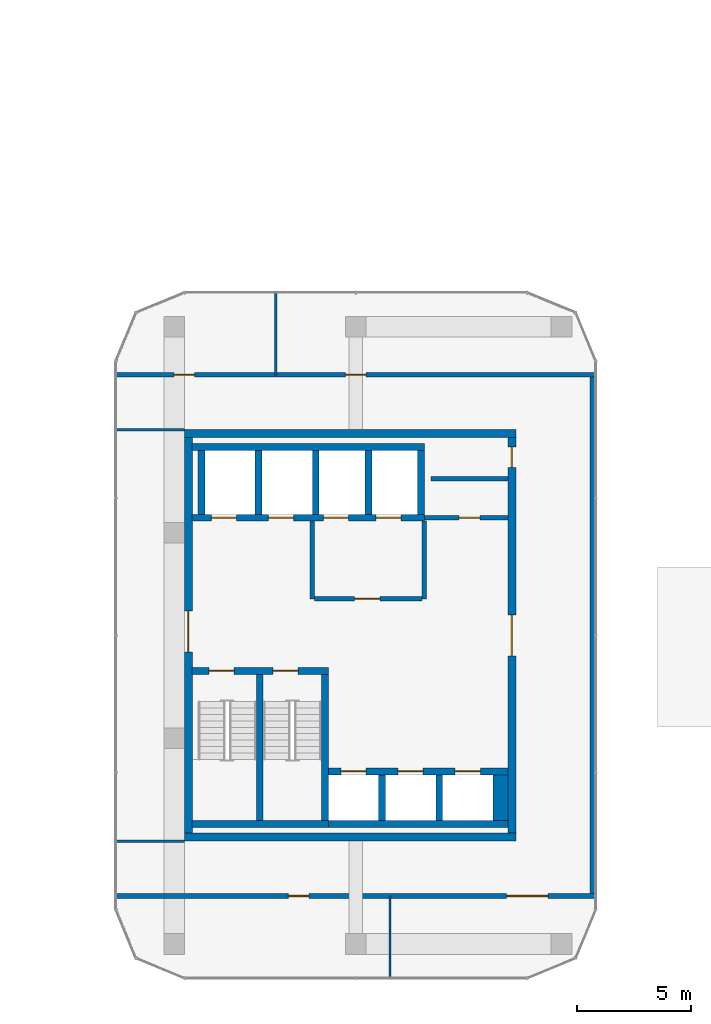
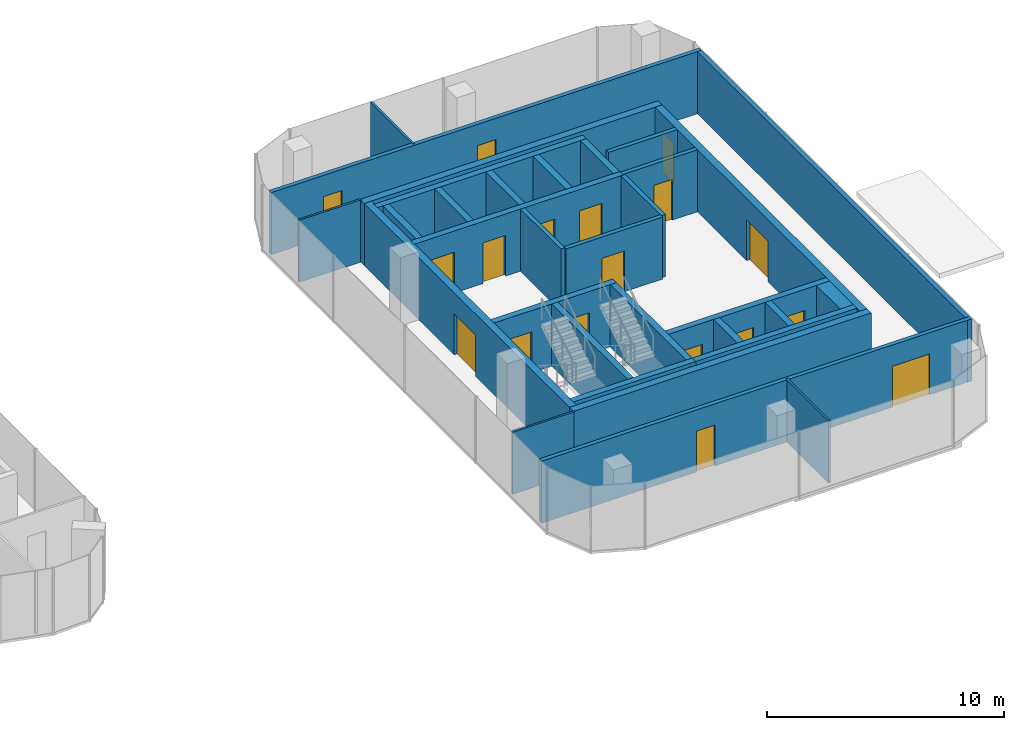
# One storey, part 15 of 19: 32 walls, 18 doors, 18 openings.
"""IFC4 building model written with IfcOpenShell, lengths in metres."""

from ifc_helpers import new_model, si_unit, direction, frame, frame_2d, origin, place, context, subcontext, project, spatial, rectangle, extrude, material, layer, layer_set, type_object, element, fill, save


model = new_model("IFC4")

# Units and contexts
model_context = context("Model", 3, precision=1e-05, world=origin(), true_north=direction((0.0, 1.0)))
body_context = subcontext(model_context, "Body", "Model", "MODEL_VIEW")
ifc_project = project(units=[si_unit("LENGTHUNIT", "METRE"), si_unit("AREAUNIT", "SQUARE_METRE"), si_unit("VOLUMEUNIT", "CUBIC_METRE"), si_unit("PLANEANGLEUNIT", "RADIAN"), si_unit("MASSUNIT", "GRAM", prefix="KILO")], contexts=[model_context])

# Site, building, storey
site_placement = place(None, origin())
site = spatial("IfcSite", under=ifc_project, at=site_placement, CompositionType="ELEMENT")
building_placement = place(site_placement, origin())
building = spatial("IfcBuilding", under=site, at=building_placement, Name="Plateau Cross Towers", CompositionType="ELEMENT")
storey_placement = place(building_placement, frame((0.0, 0.0, 120.300048828125)))
storey = spatial("IfcBuildingStorey", under=building, at=storey_placement, Name="L31", CompositionType="ELEMENT", Elevation=120.300048828125)

# Wall
ifc_material_1 = material(Name="Concrete block, plastered both sides", Category="concrete")
ifc_layer_1 = layer(ifc_material_1, 0.199951171875)
ifc_layer_set_1 = layer_set([ifc_layer_1], Name="Concrete block, plastered both sides")
wall_type_1 = type_object("IfcWallType", Name="Core partition 200", PredefinedType="PARTITIONING", material=ifc_layer_set_1)
wall_1_placement = place(storey_placement, frame((80.60009765625, 10.60009765625, 0.0), z_axis=(0.0, 0.0, 1.0), x_axis=(0.0, 1.0, 0.0)))
element("IfcWall", 1, at=wall_1_placement, inside=storey, type_object=wall_type_1, Name="Core partition", PredefinedType="PARTITIONING", context=body_context, shape_type="SweptSolid", body=[
    extrude(rectangle(XDim=3.39990234375, YDim=0.199951171875, at=frame_2d((1.699951171875, 0.0))), origin(), (0.0, 0.0, 1.0), 3.199951171875),
])

# Wall, opening, door
wall_2_placement = place(storey_placement, frame((80.699951171875, 10.60009765625, 0.0), z_axis=(0.0, 0.0, 1.0), x_axis=(1.0, 0.0, 0.0)))
wall_2 = element("IfcWall", 2, at=wall_2_placement, inside=storey, type_object=wall_type_1, Name="Core partition", PredefinedType="PARTITIONING", context=body_context, shape_type="SweptSolid", body=[
    extrude(rectangle(XDim=4.699951171875, YDim=0.199951171875, at=frame_2d((2.35009765625, 0.0))), origin(), (0.0, 0.0, 1.0), 3.199951171875),
])
opening_1_placement = place(wall_2_placement, frame((1.75, 0.0, 0.0)))
opening_1 = element("IfcOpeningElement", 3, at=opening_1_placement, cuts=wall_2, Name="Opening FFD", PredefinedType="OPENING", context=body_context, shape_type="SweptSolid", body=[
    extrude(rectangle(XDim=1.10009765625, YDim=2.10009765625, at=frame_2d((0.550048828125, 1.050048828125))), frame((0.0, 0.10986328125, 0.0), z_axis=(0.0, -1.0, 0.0), x_axis=(1.0, 0.0, 0.0)), (0.0, 0.0, 1.0), 0.219970703125),
])
ifc_material_2 = material(Name="Steel, fire-resisting leaf", Category="steel")
door_type_1 = type_object("IfcDoorType", Name="Firefighting lobby door 1100", OperationType="NOTDEFINED", PredefinedType="DOOR", material=ifc_material_2)
door_1_placement = place(opening_1_placement, origin())
door_1 = element("IfcDoor", 4, at=door_1_placement, inside=storey, type_object=door_type_1, Name="Firefighting lobby door FFD", OperationType="SINGLE_SWING_LEFT", OverallHeight=2.10009765625, OverallWidth=1.10009765625, PredefinedType="DOOR", context=body_context, shape_type="SweptSolid", body=[
    extrude(rectangle(XDim=1.10009765625, YDim=2.10009765625, at=frame_2d((0.550048828125, 1.050048828125))), frame((0.0, 0.02490234375, 0.0), z_axis=(0.0, -1.0, 0.0), x_axis=(1.0, 0.0, 0.0)), (0.0, 0.0, 1.0), 0.050048828125),
])
fill(opening_1, door_1)

# Wall
wall_3_placement = place(storey_placement, frame((85.5, 10.60009765625, 0.0), z_axis=(0.0, 0.0, 1.0), x_axis=(0.0, 1.0, 0.0)))
element("IfcWall", 5, at=wall_3_placement, inside=storey, type_object=wall_type_1, Name="Core partition", PredefinedType="PARTITIONING", context=body_context, shape_type="SweptSolid", body=[
    extrude(rectangle(XDim=3.39990234375, YDim=0.199951171875, at=frame_2d((1.699951171875, 0.0))), origin(), (0.0, 0.0, 1.0), 3.199951171875),
])

# Wall, opening, door
wall_4_placement = place(storey_placement, frame((85.5, 14.14990234375, 0.0), z_axis=(0.0, 0.0, 1.0), x_axis=(1.0, 0.0, 0.0)))
wall_4 = element("IfcWall", 6, at=wall_4_placement, inside=storey, type_object=wall_type_1, Name="Core partition", PredefinedType="PARTITIONING", context=body_context, shape_type="SweptSolid", body=[
    extrude(rectangle(XDim=3.64990234375, YDim=0.199951171875, at=frame_2d((1.824951171875, 0.0))), origin(), (0.0, 0.0, 1.0), 3.199951171875),
])
opening_2_placement = place(wall_4_placement, frame((1.52490234375, 0.0, 0.0)))
opening_2 = element("IfcOpeningElement", 7, at=opening_2_placement, cuts=wall_4, Name="Opening RD2", PredefinedType="OPENING", context=body_context, shape_type="SweptSolid", body=[
    extrude(rectangle(XDim=0.89990234375, YDim=2.10009765625, at=frame_2d((0.449951171875, 1.050048828125))), frame((0.0, 0.10986328125, 0.0), z_axis=(0.0, -1.0, 0.0), x_axis=(1.0, 0.0, 0.0)), (0.0, 0.0, 1.0), 0.219970703125),
])
door_type_2 = type_object("IfcDoorType", Name="Core riser door 900", OperationType="NOTDEFINED", PredefinedType="DOOR", material=ifc_material_2)
door_2_placement = place(opening_2_placement, origin())
door_2 = element("IfcDoor", 8, at=door_2_placement, inside=storey, type_object=door_type_2, Name="Core riser door RD2", OperationType="SINGLE_SWING_LEFT", OverallHeight=2.10009765625, OverallWidth=0.89990234375, PredefinedType="DOOR", context=body_context, shape_type="SweptSolid", body=[
    extrude(rectangle(XDim=0.89990234375, YDim=2.10009765625, at=frame_2d((0.449951171875, 1.050048828125))), frame((0.0, 0.02490234375, 0.0), z_axis=(0.0, -1.0, 0.0), x_axis=(1.0, 0.0, 0.0)), (0.0, 0.0, 1.0), 0.050048828125),
])
fill(opening_2, door_2)

# Walls
wall_5_placement = place(storey_placement, frame((85.800048828125, 15.85009765625, 0.0), z_axis=(0.0, 0.0, 1.0), x_axis=(1.0, 0.0, 0.0)))
element("IfcWall", 9, at=wall_5_placement, inside=storey, type_object=wall_type_1, Name="Core partition", PredefinedType="PARTITIONING", context=body_context, shape_type="SweptSolid", body=[
    extrude(rectangle(XDim=3.349853515625, YDim=0.199951171875, at=frame_2d((1.6748046875, 0.0))), origin(), (0.0, 0.0, 1.0), 3.199951171875),
])
ifc_material_3 = material(Name="Concrete C60/75", Category="concrete")
ifc_layer_2 = layer(ifc_material_3, 0.300048828125)
ifc_layer_set_2 = layer_set([ifc_layer_2], Name="Concrete C60/75")
wall_type_2 = type_object("IfcWallType", Name="Core shaft wall 300", PredefinedType="SHEAR", material=ifc_layer_set_2)
wall_6_placement = place(storey_placement, frame((75.330078125, 0.75, 0.0), z_axis=(0.0, 0.0, 1.0), x_axis=(1.0, 0.0, 0.0)))
element("IfcWall", 10, at=wall_6_placement, inside=storey, type_object=wall_type_2, Name="B-sb-stS@L31", PredefinedType="SHEAR", context=body_context, shape_type="SweptSolid", body=[
    extrude(rectangle(XDim=5.969970703125, YDim=0.300048828125, at=frame_2d((2.98486328125, 0.0))), origin(), (0.0, 0.0, 1.0), 3.199951171875),
])

# Wall, openings, doors
wall_7_placement = place(storey_placement, frame((75.330078125, 7.449951171875, 0.0), z_axis=(0.0, 0.0, 1.0), x_axis=(1.0, 0.0, 0.0)))
wall_7 = element("IfcWall", 11, at=wall_7_placement, inside=storey, type_object=wall_type_2, Name="B-sb-stN@L31", PredefinedType="SHEAR", context=body_context, shape_type="SweptSolid", body=[
    extrude(rectangle(XDim=5.969970703125, YDim=0.300048828125, at=frame_2d((2.98486328125, 0.0))), origin(), (0.0, 0.0, 1.0), 3.199951171875),
])
opening_3_placement = place(wall_7_placement, frame((0.75, 0.0, 0.0)))
opening_3 = element("IfcOpeningElement", 12, at=opening_3_placement, cuts=wall_7, Name="Opening SD", PredefinedType="OPENING", context=body_context, shape_type="SweptSolid", body=[
    extrude(rectangle(XDim=1.10009765625, YDim=2.10009765625, at=frame_2d((0.550048828125, 1.050048828125))), frame((0.0, 0.159912109375, 0.0), z_axis=(0.0, -1.0, 0.0), x_axis=(1.0, 0.0, 0.0)), (0.0, 0.0, 1.0), 0.320068359375),
])
opening_4_placement = place(wall_7_placement, frame((3.550048828125, 0.0, 0.0)))
opening_4 = element("IfcOpeningElement", 13, at=opening_4_placement, cuts=wall_7, Name="Opening SD", PredefinedType="OPENING", context=body_context, shape_type="SweptSolid", body=[
    extrude(rectangle(XDim=1.10009765625, YDim=2.10009765625, at=frame_2d((0.550048828125, 1.050048828125))), frame((0.0, 0.159912109375, 0.0), z_axis=(0.0, -1.0, 0.0), x_axis=(1.0, 0.0, 0.0)), (0.0, 0.0, 1.0), 0.320068359375),
])
door_type_3 = type_object("IfcDoorType", Name="Stair door 1100", OperationType="NOTDEFINED", PredefinedType="DOOR", material=ifc_material_2)
door_3_placement = place(opening_3_placement, origin())
door_3 = element("IfcDoor", 14, at=door_3_placement, inside=storey, type_object=door_type_3, Name="Stair door SD", OperationType="SINGLE_SWING_RIGHT", OverallHeight=2.10009765625, OverallWidth=1.10009765625, PredefinedType="DOOR", context=body_context, shape_type="SweptSolid", body=[
    extrude(rectangle(XDim=1.10009765625, YDim=2.10009765625, at=frame_2d((0.550048828125, 1.050048828125))), frame((0.0, 0.02490234375, 0.0), z_axis=(0.0, -1.0, 0.0), x_axis=(1.0, 0.0, 0.0)), (0.0, 0.0, 1.0), 0.050048828125),
])
fill(opening_3, door_3)
door_4_placement = place(opening_4_placement, origin())
door_4 = element("IfcDoor", 15, at=door_4_placement, inside=storey, type_object=door_type_3, Name="Stair door SD", OperationType="SINGLE_SWING_LEFT", OverallHeight=2.10009765625, OverallWidth=1.10009765625, PredefinedType="DOOR", context=body_context, shape_type="SweptSolid", body=[
    extrude(rectangle(XDim=1.10009765625, YDim=2.10009765625, at=frame_2d((0.550048828125, 1.050048828125))), frame((0.0, 0.02490234375, 0.0), z_axis=(0.0, -1.0, 0.0), x_axis=(1.0, 0.0, 0.0)), (0.0, 0.0, 1.0), 0.050048828125),
])
fill(opening_4, door_4)

# Walls
for number, where, z_axis, x_axis, name in (
    (16, (78.300048828125, 0.89990234375, 0.0), (0.0, 0.0, 1.0), (0.0, 1.0, 0.0), "B-sb-st1@L31"),
    (17, (81.14990234375, 0.89990234375, 0.0), (0.0, 0.0, 1.0), (0.0, 1.0, 0.0), "B-sb-st2@L31"),
):
    element("IfcWall", number, at=place(storey_placement, frame(where, z_axis=z_axis, x_axis=x_axis)), inside=storey, type_object=wall_type_2, Name=name, PredefinedType="SHEAR", context=body_context, shape_type="SweptSolid", body=[
        extrude(rectangle(XDim=6.400146484375, YDim=0.300048828125, at=frame_2d((3.2001953125, 0.0))), origin(), (0.0, 0.0, 1.0), 3.199951171875),
    ])
wall_8_placement = place(storey_placement, frame((81.300048828125, 0.75, 0.0), z_axis=(0.0, 0.0, 1.0), x_axis=(1.0, 0.0, 0.0)))
element("IfcWall", 18, at=wall_8_placement, inside=storey, type_object=wall_type_2, Name="B-sb-back@L31", PredefinedType="SHEAR", context=body_context, shape_type="SweptSolid", body=[
    extrude(rectangle(XDim=7.849853515625, YDim=0.300048828125, at=frame_2d((3.9248046875, 0.0))), origin(), (0.0, 0.0, 1.0), 3.199951171875),
])
for number, where, z_axis, x_axis, name in (
    (19, (83.64990234375, 0.89990234375, 0.0), (0.0, 0.0, 1.0), (0.0, 1.0, 0.0), "B-sb-v1@L31"),
    (20, (86.14990234375, 0.89990234375, 0.0), (0.0, 0.0, 1.0), (0.0, 1.0, 0.0), "B-sb-v2@L31"),
):
    element("IfcWall", number, at=place(storey_placement, frame(where, z_axis=z_axis, x_axis=x_axis)), inside=storey, type_object=wall_type_2, Name=name, PredefinedType="SHEAR", context=body_context, shape_type="SweptSolid", body=[
        extrude(rectangle(XDim=2.0, YDim=0.300048828125, at=frame_2d((1.0, 0.0))), origin(), (0.0, 0.0, 1.0), 3.199951171875),
    ])

# Wall, openings, doors
wall_9_placement = place(storey_placement, frame((81.300048828125, 3.050048828125, 0.0), z_axis=(0.0, 0.0, 1.0), x_axis=(1.0, 0.0, 0.0)))
wall_9 = element("IfcWall", 21, at=wall_9_placement, inside=storey, type_object=wall_type_2, Name="B-sb-front@L31", PredefinedType="SHEAR", context=body_context, shape_type="SweptSolid", body=[
    extrude(rectangle(XDim=7.849853515625, YDim=0.300048828125, at=frame_2d((3.9248046875, 0.0))), origin(), (0.0, 0.0, 1.0), 3.199951171875),
])
opening_5_placement = place(wall_9_placement, frame((0.550048828125, 0.0, 0.0)))
opening_5 = element("IfcOpeningElement", 22, at=opening_5_placement, cuts=wall_9, Name="Opening LD", PredefinedType="OPENING", context=body_context, shape_type="SweptSolid", body=[
    extrude(rectangle(XDim=1.10009765625, YDim=2.10009765625, at=frame_2d((0.550048828125, 1.050048828125))), frame((0.0, 0.159912109375, 0.0), z_axis=(0.0, -1.0, 0.0), x_axis=(1.0, 0.0, 0.0)), (0.0, 0.0, 1.0), 0.320068359375),
])
opening_6_placement = place(wall_9_placement, frame((3.050048828125, 0.0, 0.0)))
opening_6 = element("IfcOpeningElement", 23, at=opening_6_placement, cuts=wall_9, Name="Opening LD", PredefinedType="OPENING", context=body_context, shape_type="SweptSolid", body=[
    extrude(rectangle(XDim=1.10009765625, YDim=2.10009765625, at=frame_2d((0.550048828125, 1.050048828125))), frame((0.0, 0.159912109375, 0.0), z_axis=(0.0, -1.0, 0.0), x_axis=(1.0, 0.0, 0.0)), (0.0, 0.0, 1.0), 0.320068359375),
])
opening_7_placement = place(wall_9_placement, frame((5.550048828125, 0.0, 0.0)))
opening_7 = element("IfcOpeningElement", 24, at=opening_7_placement, cuts=wall_9, Name="Opening LD", PredefinedType="OPENING", context=body_context, shape_type="SweptSolid", body=[
    extrude(rectangle(XDim=1.10009765625, YDim=2.10009765625, at=frame_2d((0.550048828125, 1.050048828125))), frame((0.0, 0.159912109375, 0.0), z_axis=(0.0, -1.0, 0.0), x_axis=(1.0, 0.0, 0.0)), (0.0, 0.0, 1.0), 0.320068359375),
])
ifc_material_4 = material(Name="Stainless steel, fire-resisting sliding leaves", Category="steel")
door_type_4 = type_object("IfcDoorType", Name="Lift landing door 1100", OperationType="NOTDEFINED", PredefinedType="DOOR", material=ifc_material_4)
door_5_placement = place(opening_5_placement, origin())
door_5 = element("IfcDoor", 25, at=door_5_placement, inside=storey, type_object=door_type_4, Name="Lift landing door LD", OperationType="DOUBLE_DOOR_SLIDING", OverallHeight=2.10009765625, OverallWidth=1.10009765625, PredefinedType="DOOR", context=body_context, shape_type="SweptSolid", body=[
    extrude(rectangle(XDim=1.10009765625, YDim=2.10009765625, at=frame_2d((0.550048828125, 1.050048828125))), frame((0.0, 0.02490234375, 0.0), z_axis=(0.0, -1.0, 0.0), x_axis=(1.0, 0.0, 0.0)), (0.0, 0.0, 1.0), 0.050048828125),
])
fill(opening_5, door_5)
door_6_placement = place(opening_6_placement, origin())
door_6 = element("IfcDoor", 26, at=door_6_placement, inside=storey, type_object=door_type_4, Name="Lift landing door LD", OperationType="DOUBLE_DOOR_SLIDING", OverallHeight=2.10009765625, OverallWidth=1.10009765625, PredefinedType="DOOR", context=body_context, shape_type="SweptSolid", body=[
    extrude(rectangle(XDim=1.10009765625, YDim=2.10009765625, at=frame_2d((0.550048828125, 1.050048828125))), frame((0.0, 0.02490234375, 0.0), z_axis=(0.0, -1.0, 0.0), x_axis=(1.0, 0.0, 0.0)), (0.0, 0.0, 1.0), 0.050048828125),
])
fill(opening_6, door_6)
door_7_placement = place(opening_7_placement, origin())
door_7 = element("IfcDoor", 27, at=door_7_placement, inside=storey, type_object=door_type_4, Name="Lift landing door LD", OperationType="DOUBLE_DOOR_SLIDING", OverallHeight=2.10009765625, OverallWidth=1.10009765625, PredefinedType="DOOR", context=body_context, shape_type="SweptSolid", body=[
    extrude(rectangle(XDim=1.10009765625, YDim=2.10009765625, at=frame_2d((0.550048828125, 1.050048828125))), frame((0.0, 0.02490234375, 0.0), z_axis=(0.0, -1.0, 0.0), x_axis=(1.0, 0.0, 0.0)), (0.0, 0.0, 1.0), 0.050048828125),
])
fill(opening_7, door_7)

# Wall
wall_10_placement = place(storey_placement, frame((75.330078125, 17.25, 0.0), z_axis=(0.0, 0.0, 1.0), x_axis=(1.0, 0.0, 0.0)))
element("IfcWall", 28, at=wall_10_placement, inside=storey, type_object=wall_type_2, Name="B-nb-back@L31", PredefinedType="SHEAR", context=body_context, shape_type="SweptSolid", body=[
    extrude(rectangle(XDim=10.169921875, YDim=0.300048828125, at=frame_2d((5.0849609375, 0.0))), origin(), (0.0, 0.0, 1.0), 3.199951171875),
])

# Wall, openings, doors
wall_11_placement = place(storey_placement, frame((75.330078125, 14.14990234375, 0.0), z_axis=(0.0, 0.0, 1.0), x_axis=(1.0, 0.0, 0.0)))
wall_11 = element("IfcWall", 29, at=wall_11_placement, inside=storey, type_object=wall_type_2, Name="B-nb-front@L31", PredefinedType="SHEAR", context=body_context, shape_type="SweptSolid", body=[
    extrude(rectangle(XDim=10.169921875, YDim=0.300048828125, at=frame_2d((5.0849609375, 0.0))), origin(), (0.0, 0.0, 1.0), 3.199951171875),
])
opening_8_placement = place(wall_11_placement, frame((0.85009765625, 0.0, 0.0)))
opening_8 = element("IfcOpeningElement", 30, at=opening_8_placement, cuts=wall_11, Name="Opening LD", PredefinedType="OPENING", context=body_context, shape_type="SweptSolid", body=[
    extrude(rectangle(XDim=1.10009765625, YDim=2.10009765625, at=frame_2d((0.550048828125, 1.050048828125))), frame((0.0, 0.159912109375, 0.0), z_axis=(0.0, -1.0, 0.0), x_axis=(1.0, 0.0, 0.0)), (0.0, 0.0, 1.0), 0.320068359375),
])
opening_9_placement = place(wall_11_placement, frame((3.35009765625, 0.0, 0.0)))
opening_9 = element("IfcOpeningElement", 31, at=opening_9_placement, cuts=wall_11, Name="Opening LD", PredefinedType="OPENING", context=body_context, shape_type="SweptSolid", body=[
    extrude(rectangle(XDim=1.10009765625, YDim=2.10009765625, at=frame_2d((0.550048828125, 1.050048828125))), frame((0.0, 0.159912109375, 0.0), z_axis=(0.0, -1.0, 0.0), x_axis=(1.0, 0.0, 0.0)), (0.0, 0.0, 1.0), 0.320068359375),
])
opening_10_placement = place(wall_11_placement, frame((5.75, 0.0, 0.0)))
opening_10 = element("IfcOpeningElement", 32, at=opening_10_placement, cuts=wall_11, Name="Opening LD", PredefinedType="OPENING", context=body_context, shape_type="SweptSolid", body=[
    extrude(rectangle(XDim=1.10009765625, YDim=2.10009765625, at=frame_2d((0.550048828125, 1.050048828125))), frame((0.0, 0.159912109375, 0.0), z_axis=(0.0, -1.0, 0.0), x_axis=(1.0, 0.0, 0.0)), (0.0, 0.0, 1.0), 0.320068359375),
])
opening_11_placement = place(wall_11_placement, frame((8.050048828125, 0.0, 0.0)))
opening_11 = element("IfcOpeningElement", 33, at=opening_11_placement, cuts=wall_11, Name="Opening LD", PredefinedType="OPENING", context=body_context, shape_type="SweptSolid", body=[
    extrude(rectangle(XDim=1.10009765625, YDim=2.10009765625, at=frame_2d((0.550048828125, 1.050048828125))), frame((0.0, 0.159912109375, 0.0), z_axis=(0.0, -1.0, 0.0), x_axis=(1.0, 0.0, 0.0)), (0.0, 0.0, 1.0), 0.320068359375),
])
door_8_placement = place(opening_8_placement, origin())
door_8 = element("IfcDoor", 34, at=door_8_placement, inside=storey, type_object=door_type_4, Name="Lift landing door LD", OperationType="DOUBLE_DOOR_SLIDING", OverallHeight=2.10009765625, OverallWidth=1.10009765625, PredefinedType="DOOR", context=body_context, shape_type="SweptSolid", body=[
    extrude(rectangle(XDim=1.10009765625, YDim=2.10009765625, at=frame_2d((0.550048828125, 1.050048828125))), frame((0.0, 0.02490234375, 0.0), z_axis=(0.0, -1.0, 0.0), x_axis=(1.0, 0.0, 0.0)), (0.0, 0.0, 1.0), 0.050048828125),
])
fill(opening_8, door_8)
door_9_placement = place(opening_9_placement, origin())
door_9 = element("IfcDoor", 35, at=door_9_placement, inside=storey, type_object=door_type_4, Name="Lift landing door LD", OperationType="DOUBLE_DOOR_SLIDING", OverallHeight=2.10009765625, OverallWidth=1.10009765625, PredefinedType="DOOR", context=body_context, shape_type="SweptSolid", body=[
    extrude(rectangle(XDim=1.10009765625, YDim=2.10009765625, at=frame_2d((0.550048828125, 1.050048828125))), frame((0.0, 0.02490234375, 0.0), z_axis=(0.0, -1.0, 0.0), x_axis=(1.0, 0.0, 0.0)), (0.0, 0.0, 1.0), 0.050048828125),
])
fill(opening_9, door_9)
door_10_placement = place(opening_10_placement, origin())
door_10 = element("IfcDoor", 36, at=door_10_placement, inside=storey, type_object=door_type_4, Name="Lift landing door LD", OperationType="DOUBLE_DOOR_SLIDING", OverallHeight=2.10009765625, OverallWidth=1.10009765625, PredefinedType="DOOR", context=body_context, shape_type="SweptSolid", body=[
    extrude(rectangle(XDim=1.10009765625, YDim=2.10009765625, at=frame_2d((0.550048828125, 1.050048828125))), frame((0.0, 0.02490234375, 0.0), z_axis=(0.0, -1.0, 0.0), x_axis=(1.0, 0.0, 0.0)), (0.0, 0.0, 1.0), 0.050048828125),
])
fill(opening_10, door_10)
door_11_placement = place(opening_11_placement, origin())
door_11 = element("IfcDoor", 37, at=door_11_placement, inside=storey, type_object=door_type_4, Name="Lift landing door LD", OperationType="DOUBLE_DOOR_SLIDING", OverallHeight=2.10009765625, OverallWidth=1.10009765625, PredefinedType="DOOR", context=body_context, shape_type="SweptSolid", body=[
    extrude(rectangle(XDim=1.10009765625, YDim=2.10009765625, at=frame_2d((0.550048828125, 1.050048828125))), frame((0.0, 0.02490234375, 0.0), z_axis=(0.0, -1.0, 0.0), x_axis=(1.0, 0.0, 0.0)), (0.0, 0.0, 1.0), 0.050048828125),
])
fill(opening_11, door_11)

# Walls
for number, where, z_axis, x_axis, name in (
    (38, (75.75, 14.300048828125, 0.0), (0.0, 0.0, 1.0), (0.0, 1.0, 0.0), "B-nb-v0@L31"),
    (39, (78.25, 14.300048828125, 0.0), (0.0, 0.0, 1.0), (0.0, 1.0, 0.0), "B-nb-v1@L31"),
    (40, (80.75, 14.300048828125, 0.0), (0.0, 0.0, 1.0), (0.0, 1.0, 0.0), "B-nb-v2@L31"),
    (41, (83.050048828125, 14.300048828125, 0.0), (0.0, 0.0, 1.0), (0.0, 1.0, 0.0), "B-nb-v3@L31"),
    (42, (85.35009765625, 14.300048828125, 0.0), (0.0, 0.0, 1.0), (0.0, 1.0, 0.0), "B-nb-v4@L31"),
):
    element("IfcWall", number, at=place(storey_placement, frame(where, z_axis=z_axis, x_axis=x_axis)), inside=storey, type_object=wall_type_2, Name=name, PredefinedType="SHEAR", context=body_context, shape_type="SweptSolid", body=[
        extrude(rectangle(XDim=2.800048828125, YDim=0.300048828125, at=frame_2d((1.39990234375, 0.0))), origin(), (0.0, 0.0, 1.0), 3.199951171875),
    ])
ifc_layer_3 = layer(ifc_material_3, 0.64990234375)
ifc_layer_set_3 = layer_set([ifc_layer_3], Name="Concrete C60/75")
wall_type_3 = type_object("IfcWallType", Name="Core shaft wall 650", PredefinedType="SHEAR", material=ifc_layer_set_3)
wall_12_placement = place(storey_placement, frame((88.824951171875, 0.89990234375, 0.0), z_axis=(0.0, 0.0, 1.0), x_axis=(0.0, 1.0, 0.0)))
element("IfcWall", 43, at=wall_12_placement, inside=storey, type_object=wall_type_3, Name="B-sb-v3@L31", PredefinedType="SHEAR", context=body_context, shape_type="SweptSolid", body=[
    extrude(rectangle(XDim=2.0, YDim=0.64990234375, at=frame_2d((1.0, 0.0))), origin(), (0.0, 0.0, 1.0), 3.199951171875),
])
ifc_layer_4 = layer(ifc_material_3, 0.35009765625)
ifc_layer_set_4 = layer_set([ifc_layer_4], Name="Concrete C60/75")
wall_type_4 = type_object("IfcWallType", Name="Core shell wall 350", PredefinedType="SHEAR", material=ifc_layer_set_4)
for number, where, z_axis, x_axis, name in (
    (44, (75.0, 0.175048828125, 0.0), (0.0, 0.0, 1.0), (1.0, 0.0, 0.0), "B-core-S@L31"),
    (45, (75.0, 17.824951171875, 0.0), (0.0, 0.0, 1.0), (1.0, 0.0, 0.0), "B-core-N@L31"),
):
    element("IfcWall", number, at=place(storey_placement, frame(where, z_axis=z_axis, x_axis=x_axis)), inside=storey, type_object=wall_type_4, Name=name, PredefinedType="SHEAR", context=body_context, shape_type="SweptSolid", body=[
        extrude(rectangle(XDim=14.5, YDim=0.35009765625, at=frame_2d((7.25, 0.0))), origin(), (0.0, 0.0, 1.0), 3.199951171875),
    ])

# Wall, opening, door
wall_13_placement = place(storey_placement, frame((75.175048828125, 0.35009765625, 0.0), z_axis=(0.0, 0.0, 1.0), x_axis=(0.0, 1.0, 0.0)))
wall_13 = element("IfcWall", 46, at=wall_13_placement, inside=storey, type_object=wall_type_4, Name="B-core-W@L31", PredefinedType="SHEAR", context=body_context, shape_type="SweptSolid", body=[
    extrude(rectangle(XDim=17.2998046875, YDim=0.35009765625, at=frame_2d((8.64990234375, 0.0))), origin(), (0.0, 0.0, 1.0), 3.199951171875),
])
opening_12_placement = place(wall_13_placement, frame((7.925048828125, 0.0, 0.0)))
opening_12 = element("IfcOpeningElement", 47, at=opening_12_placement, cuts=wall_13, Name="Opening CD", PredefinedType="OPENING", context=body_context, shape_type="SweptSolid", body=[
    extrude(rectangle(XDim=1.800048828125, YDim=2.10009765625, at=frame_2d((0.89990234375, 1.050048828125))), frame((0.0, 0.18505859375, 0.0), z_axis=(0.0, -1.0, 0.0), x_axis=(1.0, 0.0, 0.0)), (0.0, 0.0, 1.0), 0.3701171875),
])
ifc_material_5 = material(Name="Steel, fire-resisting leaves", Category="steel")
door_type_5 = type_object("IfcDoorType", Name="Corridor door pair 1800", OperationType="NOTDEFINED", PredefinedType="DOOR", material=ifc_material_5)
door_12_placement = place(opening_12_placement, origin())
door_12 = element("IfcDoor", 48, at=door_12_placement, inside=storey, type_object=door_type_5, Name="Corridor door pair CD", OperationType="DOUBLE_DOOR_SINGLE_SWING", OverallHeight=2.10009765625, OverallWidth=1.800048828125, PredefinedType="DOOR", context=body_context, shape_type="SweptSolid", body=[
    extrude(rectangle(XDim=1.800048828125, YDim=2.10009765625, at=frame_2d((0.89990234375, 1.050048828125))), frame((0.0, 0.02490234375, 0.0), z_axis=(0.0, -1.0, 0.0), x_axis=(1.0, 0.0, 0.0)), (0.0, 0.0, 1.0), 0.050048828125),
])
fill(opening_12, door_12)

# Wall, openings, doors
wall_14_placement = place(storey_placement, frame((89.324951171875, 0.35009765625, 0.0), z_axis=(0.0, 0.0, 1.0), x_axis=(0.0, 1.0, 0.0)))
wall_14 = element("IfcWall", 49, at=wall_14_placement, inside=storey, type_object=wall_type_4, Name="B-core-E@L31", PredefinedType="SHEAR", context=body_context, shape_type="SweptSolid", body=[
    extrude(rectangle(XDim=17.2998046875, YDim=0.35009765625, at=frame_2d((8.64990234375, 0.0))), origin(), (0.0, 0.0, 1.0), 3.199951171875),
])
opening_13_placement = place(wall_14_placement, frame((7.75, 0.0, 0.0)))
opening_13 = element("IfcOpeningElement", 50, at=opening_13_placement, cuts=wall_14, Name="Opening CD", PredefinedType="OPENING", context=body_context, shape_type="SweptSolid", body=[
    extrude(rectangle(XDim=1.800048828125, YDim=2.10009765625, at=frame_2d((0.89990234375, 1.050048828125))), frame((0.0, 0.18505859375, 0.0), z_axis=(0.0, -1.0, 0.0), x_axis=(1.0, 0.0, 0.0)), (0.0, 0.0, 1.0), 0.3701171875),
])
opening_14_placement = place(wall_14_placement, frame((16.0, 0.0, 0.0)))
opening_14 = element("IfcOpeningElement", 51, at=opening_14_placement, cuts=wall_14, Name="Opening RD2", PredefinedType="OPENING", context=body_context, shape_type="SweptSolid", body=[
    extrude(rectangle(XDim=0.89990234375, YDim=2.10009765625, at=frame_2d((0.449951171875, 1.050048828125))), frame((0.0, 0.18505859375, 0.0), z_axis=(0.0, -1.0, 0.0), x_axis=(1.0, 0.0, 0.0)), (0.0, 0.0, 1.0), 0.3701171875),
])
door_13_placement = place(opening_14_placement, origin())
door_13 = element("IfcDoor", 52, at=door_13_placement, inside=storey, type_object=door_type_2, Name="Core riser door RD2", OperationType="SINGLE_SWING_LEFT", OverallHeight=2.10009765625, OverallWidth=0.89990234375, PredefinedType="DOOR", context=body_context, shape_type="SweptSolid", body=[
    extrude(rectangle(XDim=0.89990234375, YDim=2.10009765625, at=frame_2d((0.449951171875, 1.050048828125))), frame((0.0, 0.02490234375, 0.0), z_axis=(0.0, -1.0, 0.0), x_axis=(1.0, 0.0, 0.0)), (0.0, 0.0, 1.0), 0.050048828125),
])
fill(opening_14, door_13)
door_14_placement = place(opening_13_placement, origin())
door_14 = element("IfcDoor", 53, at=door_14_placement, inside=storey, type_object=door_type_5, Name="Corridor door pair CD", OperationType="DOUBLE_DOOR_SINGLE_SWING", OverallHeight=2.10009765625, OverallWidth=1.800048828125, PredefinedType="DOOR", context=body_context, shape_type="SweptSolid", body=[
    extrude(rectangle(XDim=1.800048828125, YDim=2.10009765625, at=frame_2d((0.89990234375, 1.050048828125))), frame((0.0, 0.02490234375, 0.0), z_axis=(0.0, -1.0, 0.0), x_axis=(1.0, 0.0, 0.0)), (0.0, 0.0, 1.0), 0.050048828125),
])
fill(opening_13, door_14)

ifc_material_6 = material(Name="Gypsum board on steel studs, two layers each side", Category="steel")
ifc_layer_5 = layer(ifc_material_6, 0.199951171875)
ifc_layer_set_5 = layer_set([ifc_layer_5], Name="Gypsum board on steel studs, two layers each side")
wall_type_5 = type_object("IfcWallType", Name="Corridor wall 200", PredefinedType="PARTITIONING", material=ifc_layer_set_5)
wall_15_placement = place(storey_placement, frame((72.0, -2.39990234375, 0.0), z_axis=(0.0, 0.0, 1.0), x_axis=(1.0, 0.0, 0.0)))
wall_15 = element("IfcWall", 54, at=wall_15_placement, inside=storey, type_object=wall_type_5, Name="Ring wall", PredefinedType="PARTITIONING", context=body_context, shape_type="SweptSolid", body=[
    extrude(rectangle(XDim=20.949951171875, YDim=0.199951171875, at=frame_2d((10.47509765625, 0.0))), origin(), (0.0, 0.0, 1.0), 3.199951171875),
])
opening_15_placement = place(wall_15_placement, frame((7.550048828125, 0.0, 0.0)))
opening_15 = element("IfcOpeningElement", 55, at=opening_15_placement, cuts=wall_15, Name="Opening D-BR9", PredefinedType="OPENING", context=body_context, shape_type="SweptSolid", body=[
    extrude(rectangle(XDim=0.89990234375, YDim=2.10009765625, at=frame_2d((0.449951171875, 1.050048828125))), frame((0.0, 0.10986328125, 0.0), z_axis=(0.0, -1.0, 0.0), x_axis=(1.0, 0.0, 0.0)), (0.0, 0.0, 1.0), 0.219970703125),
])
opening_16_placement = place(wall_15_placement, frame((17.10009765625, 0.0, 0.0)))
opening_16 = element("IfcOpeningElement", 56, at=opening_16_placement, cuts=wall_15, Name="Opening D-BE18", PredefinedType="OPENING", context=body_context, shape_type="SweptSolid", body=[
    extrude(rectangle(XDim=1.800048828125, YDim=2.10009765625, at=frame_2d((0.89990234375, 1.050048828125))), frame((0.0, 0.10986328125, 0.0), z_axis=(0.0, -1.0, 0.0), x_axis=(1.0, 0.0, 0.0)), (0.0, 0.0, 1.0), 0.219970703125),
])
ifc_material_7 = material(Name="Timber leaf", Category="wood")
door_type_6 = type_object("IfcDoorType", Name="Office room door 900", OperationType="NOTDEFINED", PredefinedType="DOOR", material=ifc_material_7)
door_15_placement = place(opening_15_placement, origin())
door_15 = element("IfcDoor", 57, at=door_15_placement, inside=storey, type_object=door_type_6, Name="Door D-BR9", OperationType="SINGLE_SWING_LEFT", OverallHeight=2.10009765625, OverallWidth=0.89990234375, PredefinedType="DOOR", context=body_context, shape_type="SweptSolid", body=[
    extrude(rectangle(XDim=0.89990234375, YDim=2.10009765625, at=frame_2d((0.449951171875, 1.050048828125))), frame((0.0, 0.02490234375, 0.0), z_axis=(0.0, -1.0, 0.0), x_axis=(1.0, 0.0, 0.0)), (0.0, 0.0, 1.0), 0.050048828125),
])
fill(opening_15, door_15)
ifc_material_8 = material(Name="Timber, fire-resisting leaves", Category="wood")
door_type_7 = type_object("IfcDoorType", Name="Tenant entrance door pair 1800", OperationType="NOTDEFINED", PredefinedType="DOOR", material=ifc_material_8)
door_16_placement = place(opening_16_placement, origin())
door_16 = element("IfcDoor", 58, at=door_16_placement, inside=storey, type_object=door_type_7, Name="Door D-BE18", OperationType="DOUBLE_DOOR_SINGLE_SWING", OverallHeight=2.10009765625, OverallWidth=1.800048828125, PredefinedType="DOOR", context=body_context, shape_type="SweptSolid", body=[
    extrude(rectangle(XDim=1.800048828125, YDim=2.10009765625, at=frame_2d((0.89990234375, 1.050048828125))), frame((0.0, 0.02490234375, 0.0), z_axis=(0.0, -1.0, 0.0), x_axis=(1.0, 0.0, 0.0)), (0.0, 0.0, 1.0), 0.050048828125),
])
fill(opening_16, door_16)

wall_16_placement = place(storey_placement, frame((72.0, 20.39990234375, 0.0), z_axis=(0.0, 0.0, 1.0), x_axis=(1.0, 0.0, 0.0)))
wall_16 = element("IfcWall", 59, at=wall_16_placement, inside=storey, type_object=wall_type_5, Name="Ring wall", PredefinedType="PARTITIONING", context=body_context, shape_type="SweptSolid", body=[
    extrude(rectangle(XDim=20.949951171875, YDim=0.199951171875, at=frame_2d((10.47509765625, 0.0))), origin(), (0.0, 0.0, 1.0), 3.199951171875),
])
opening_17_placement = place(wall_16_placement, frame((2.550048828125, 0.0, 0.0)))
opening_17 = element("IfcOpeningElement", 60, at=opening_17_placement, cuts=wall_16, Name="Opening D-BR9", PredefinedType="OPENING", context=body_context, shape_type="SweptSolid", body=[
    extrude(rectangle(XDim=0.89990234375, YDim=2.10009765625, at=frame_2d((0.449951171875, 1.050048828125))), frame((0.0, 0.10986328125, 0.0), z_axis=(0.0, -1.0, 0.0), x_axis=(1.0, 0.0, 0.0)), (0.0, 0.0, 1.0), 0.219970703125),
])
opening_18_placement = place(wall_16_placement, frame((10.050048828125, 0.0, 0.0)))
opening_18 = element("IfcOpeningElement", 61, at=opening_18_placement, cuts=wall_16, Name="Opening D-BR9", PredefinedType="OPENING", context=body_context, shape_type="SweptSolid", body=[
    extrude(rectangle(XDim=0.89990234375, YDim=2.10009765625, at=frame_2d((0.449951171875, 1.050048828125))), frame((0.0, 0.10986328125, 0.0), z_axis=(0.0, -1.0, 0.0), x_axis=(1.0, 0.0, 0.0)), (0.0, 0.0, 1.0), 0.219970703125),
])
door_17_placement = place(opening_17_placement, origin())
door_17 = element("IfcDoor", 62, at=door_17_placement, inside=storey, type_object=door_type_6, Name="Door D-BR9", OperationType="SINGLE_SWING_LEFT", OverallHeight=2.10009765625, OverallWidth=0.89990234375, PredefinedType="DOOR", context=body_context, shape_type="SweptSolid", body=[
    extrude(rectangle(XDim=0.89990234375, YDim=2.10009765625, at=frame_2d((0.449951171875, 1.050048828125))), frame((0.0, 0.02490234375, 0.0), z_axis=(0.0, -1.0, 0.0), x_axis=(1.0, 0.0, 0.0)), (0.0, 0.0, 1.0), 0.050048828125),
])
fill(opening_17, door_17)
door_18_placement = place(opening_18_placement, origin())
door_18 = element("IfcDoor", 63, at=door_18_placement, inside=storey, type_object=door_type_6, Name="Door D-BR9", OperationType="SINGLE_SWING_LEFT", OverallHeight=2.10009765625, OverallWidth=0.89990234375, PredefinedType="DOOR", context=body_context, shape_type="SweptSolid", body=[
    extrude(rectangle(XDim=0.89990234375, YDim=2.10009765625, at=frame_2d((0.449951171875, 1.050048828125))), frame((0.0, 0.02490234375, 0.0), z_axis=(0.0, -1.0, 0.0), x_axis=(1.0, 0.0, 0.0)), (0.0, 0.0, 1.0), 0.050048828125),
])
fill(opening_18, door_18)

# Walls
wall_17_placement = place(storey_placement, frame((92.85009765625, -2.5, 0.0), z_axis=(0.0, 0.0, 1.0), x_axis=(0.0, 1.0, 0.0)))
element("IfcWall", 64, at=wall_17_placement, inside=storey, type_object=wall_type_5, Name="Ring wall", PredefinedType="PARTITIONING", context=body_context, shape_type="SweptSolid", body=[
    extrude(rectangle(XDim=23.0, YDim=0.199951171875, at=frame_2d((11.5, 0.0))), origin(), (0.0, 0.0, 1.0), 3.199951171875),
])
ifc_material_9 = material(Name="Gypsum board on steel studs", Category="steel")
ifc_layer_6 = layer(ifc_material_9, 0.10009765625)
ifc_layer_set_6 = layer_set([ifc_layer_6], Name="Gypsum board on steel studs")
wall_type_6 = type_object("IfcWallType", Name="Office partition 100", PredefinedType="PARTITIONING", material=ifc_layer_set_6)
for number, where, z_axis, x_axis, name in (
    (65, (84.0, -6.0, 0.0), (0.0, 0.0, 1.0), (0.0, 1.0, 0.0), "Part wall"),
    (66, (79.0, 20.39990234375, 0.0), (0.0, 0.0, 1.0), (0.0, 1.0, 0.0), "Part wall"),
):
    element("IfcWall", number, at=place(storey_placement, frame(where, z_axis=z_axis, x_axis=x_axis)), inside=storey, type_object=wall_type_6, Name=name, PredefinedType="PARTITIONING", context=body_context, shape_type="SweptSolid", body=[
        extrude(rectangle(XDim=3.60009765625, YDim=0.10009765625, at=frame_2d((1.800048828125, 0.0))), origin(), (0.0, 0.0, 1.0), 3.199951171875),
    ])
for number, where, z_axis, x_axis, name in (
    (67, (72.0, 0.0, 0.0), (0.0, 0.0, 1.0), (1.0, 0.0, 0.0), "Part wall"),
    (68, (72.0, 18.0, 0.0), (0.0, 0.0, 1.0), (1.0, 0.0, 0.0), "Part wall"),
):
    element("IfcWall", number, at=place(storey_placement, frame(where, z_axis=z_axis, x_axis=x_axis)), inside=storey, type_object=wall_type_6, Name=name, PredefinedType="PARTITIONING", context=body_context, shape_type="SweptSolid", body=[
        extrude(rectangle(XDim=3.0, YDim=0.10009765625, at=frame_2d((1.5, 0.0))), origin(), (0.0, 0.0, 1.0), 3.199951171875),
    ])

save(model, "model.ifc")
